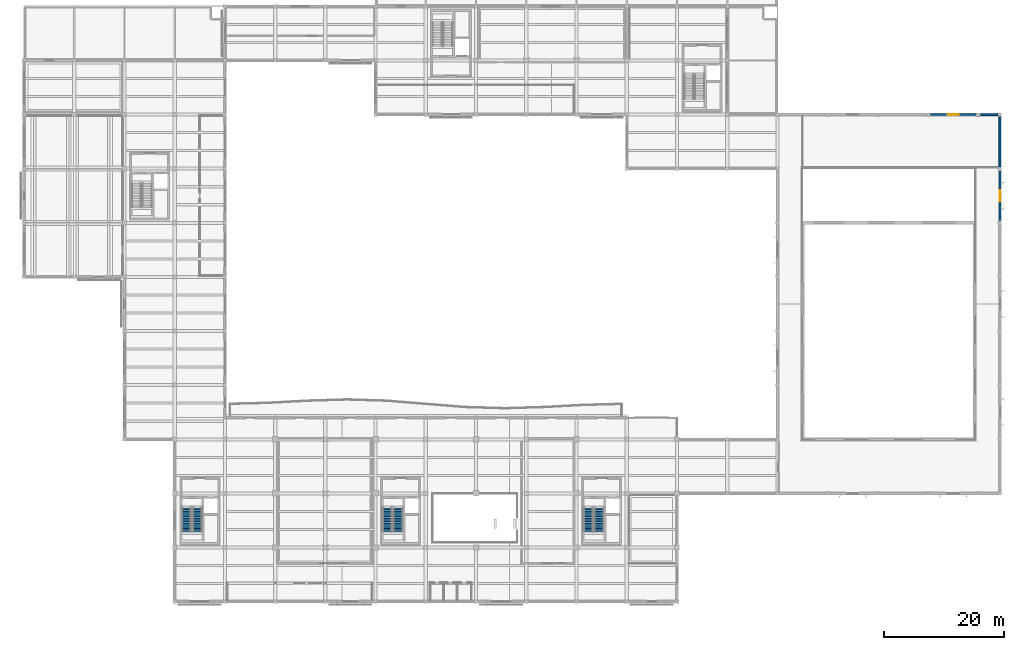
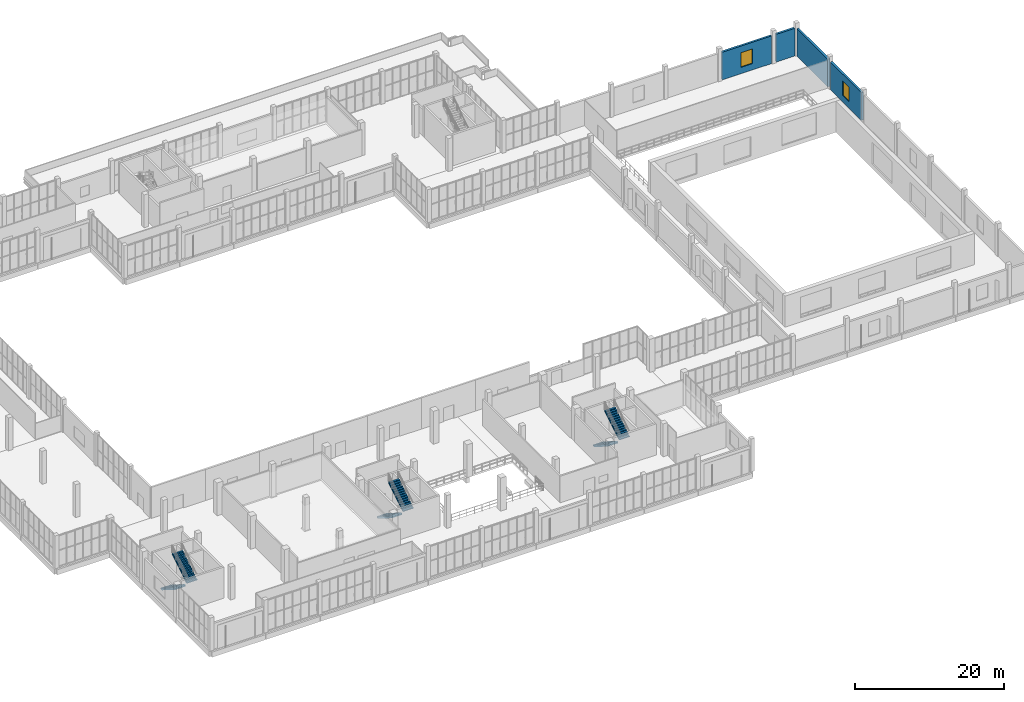
# One storey, part 118 of 132: 6 stair flights, 4 walls, 2 windows, 2 openings, 3 elements without a shape of their own.
"""IFC4 building model written with IfcOpenShell, lengths in metres."""

from ifc_helpers import new_model, si_unit, direction, frame, frame_2d, origin, place, context, subcontext, project, spatial, polyline, rectangle, outline, extrude, material, layer, layer_set, type_object, element, fill, aggregate, save


model = new_model("IFC4")

# Units and contexts
model_context = context("Model", 3, precision=1e-05, world=origin(), true_north=direction((0.0, 1.0)))
body_context = subcontext(model_context, "Body", "Model", "MODEL_VIEW")
ifc_project = project(units=[si_unit("LENGTHUNIT", "METRE"), si_unit("AREAUNIT", "SQUARE_METRE"), si_unit("VOLUMEUNIT", "CUBIC_METRE"), si_unit("PLANEANGLEUNIT", "RADIAN"), si_unit("MASSUNIT", "GRAM", prefix="KILO")], contexts=[model_context])

# Site, building, storey
site_placement = place(None, origin())
site = spatial("IfcSite", under=ifc_project, at=site_placement, CompositionType="ELEMENT")
building_placement = place(site_placement, origin())
building = spatial("IfcBuilding", under=site, at=building_placement, Name="Khurvash Pelagic Aquarium", CompositionType="ELEMENT")
storey_placement = place(building_placement, frame((0.0, 0.0, 5.39990234375)))
storey = spatial("IfcBuildingStorey", under=building, at=storey_placement, Name="L01", CompositionType="ELEMENT", Elevation=5.39990234375)

# Wall, opening, window
ifc_material_1 = material(Name="Precast concrete C40/50", Category="concrete")
ifc_layer = layer(ifc_material_1, 0.320068359375)
ifc_layer_set = layer_set([ifc_layer], Name="Precast concrete C40/50")
wall_type = type_object("IfcWallType", Name="EW-320", PredefinedType="STANDARD", material=ifc_layer_set)
wall_1_placement = place(storey_placement, frame((163.199951171875, 66.31005859375, 0.0), z_axis=(0.0, 0.0, 1.0), x_axis=(0.0, 1.0, 0.0)))
wall_1 = element("IfcWall", 1, at=wall_1_placement, inside=storey, type_object=wall_type, Name="L01 Ocean Tank Hall East Containment Wall EW-320 B6", PredefinedType="STANDARD", context=body_context, shape_type="SweptSolid", body=[
    extrude(rectangle(XDim=8.329833984375, YDim=0.320068359375, at=frame_2d((4.1650390625, 0.0))), origin(), (0.0, 0.0, 1.0), 4.550048828125),
])
opening_1_placement = place(wall_1_placement, frame((3.264892578125, 0.0, 1.050048828125)))
opening_1 = element("IfcOpeningElement", 2, at=opening_1_placement, cuts=wall_1, Name="Opening WN-01", PredefinedType="OPENING", context=body_context, shape_type="SweptSolid", body=[
    extrude(rectangle(XDim=1.800048828125, YDim=2.39990234375, at=frame_2d((0.89990234375, 1.199951171875))), frame((0.0, 0.169921875, 0.0), z_axis=(0.0, -1.0, 0.0), x_axis=(1.0, 0.0, 0.0)), (0.0, 0.0, 1.0), 0.340087890625),
])
ifc_material_2 = material(Name="Thermally broken aluminium and low-E glass", Category="aluminium")
window_type = type_object("IfcWindowType", Name="WN-01", PartitioningType="SINGLE_PANEL", PredefinedType="WINDOW", material=ifc_material_2)
window_1_placement = place(opening_1_placement, origin())
window_1 = element("IfcWindow", 3, at=window_1_placement, inside=storey, type_object=window_type, Name="L01 Ocean Hall Deep-Set Oceanic Portal Window WN-01", OverallHeight=2.39990234375, OverallWidth=1.800048828125, PartitioningType="SINGLE_PANEL", PredefinedType="WINDOW", context=body_context, shape_type="SweptSolid", body=[
    extrude(rectangle(XDim=1.800048828125, YDim=2.39990234375, at=frame_2d((0.89990234375, 1.199951171875))), frame((0.0, 0.030029296875, 0.0), z_axis=(0.0, -1.0, 0.0), x_axis=(1.0, 0.0, 0.0)), (0.0, 0.0, 1.0), 0.06005859375),
])
fill(opening_1, window_1)

# Wall
wall_2_placement = place(storey_placement, frame((163.199951171875, 75.360107421875, 0.0), z_axis=(0.0, 0.0, 1.0), x_axis=(0.0, 1.0, 0.0)))
element("IfcWall", 4, at=wall_2_placement, inside=storey, type_object=wall_type, Name="L01 Ocean Tank Hall East Containment Wall EW-320 B7", PredefinedType="STANDARD", context=body_context, shape_type="SweptSolid", body=[
    extrude(rectangle(XDim=8.329833984375, YDim=0.320068359375, at=frame_2d((4.1650390625, 0.0))), origin(), (0.0, 0.0, 1.0), 4.550048828125),
])

# Wall, opening, window
wall_3_placement = place(storey_placement, frame((159.239990234375, 84.050048828125, 0.0), z_axis=(0.0, 0.0, 1.0), x_axis=(-1.0, 0.0, 0.0)))
wall_3 = element("IfcWall", 5, at=wall_3_placement, inside=storey, type_object=wall_type, Name="L01 Ocean Tank Hall North Containment Wall EW-320 B4.1", PredefinedType="STANDARD", context=body_context, shape_type="SweptSolid", body=[
    extrude(rectangle(XDim=7.679931640625, YDim=0.320068359375, at=frame_2d((3.83984375, 0.0))), origin(), (0.0, 0.0, 1.0), 4.550048828125),
])
opening_2_placement = place(wall_3_placement, frame((2.93994140625, 0.0, 1.050048828125)))
opening_2 = element("IfcOpeningElement", 6, at=opening_2_placement, cuts=wall_3, Name="Opening WN-01", PredefinedType="OPENING", context=body_context, shape_type="SweptSolid", body=[
    extrude(rectangle(XDim=1.800048828125, YDim=2.39990234375, at=frame_2d((0.89990234375, 1.199951171875))), frame((0.0, 0.169921875, 0.0), z_axis=(0.0, -1.0, 0.0), x_axis=(1.0, 0.0, 0.0)), (0.0, 0.0, 1.0), 0.340087890625),
])
window_2_placement = place(opening_2_placement, origin())
window_2 = element("IfcWindow", 7, at=window_2_placement, inside=storey, type_object=window_type, Name="L01 Ocean Hall North Viewing Portal Window WN-01", OverallHeight=2.39990234375, OverallWidth=1.800048828125, PartitioningType="SINGLE_PANEL", PredefinedType="WINDOW", context=body_context, shape_type="SweptSolid", body=[
    extrude(rectangle(XDim=1.800048828125, YDim=2.39990234375, at=frame_2d((0.89990234375, 1.199951171875))), frame((0.0, 0.030029296875, 0.0), z_axis=(0.0, -1.0, 0.0), x_axis=(1.0, 0.0, 0.0)), (0.0, 0.0, 1.0), 0.06005859375),
])
fill(opening_2, window_2)

# Wall
wall_4_placement = place(storey_placement, frame((162.840087890625, 84.050048828125, 0.0), z_axis=(0.0, 0.0, 1.0), x_axis=(-1.0, 0.0, 0.0)))
element("IfcWall", 8, at=wall_4_placement, inside=storey, type_object=wall_type, Name="L01 Ocean Tank Hall North Containment Wall EW-320 B5.1", PredefinedType="STANDARD", context=body_context, shape_type="SweptSolid", body=[
    extrude(rectangle(XDim=2.880126953125, YDim=0.320068359375, at=frame_2d((1.43994140625, 0.0))), origin(), (0.0, 0.0, 1.0), 4.550048828125),
])

# Stair, stair flights
ifc_material_3 = material(Name="Concrete C35/45", Category="concrete")
stair_type_1 = type_object("IfcStairType", Name="ST-01", PredefinedType="HALF_TURN_STAIR", material=ifc_material_3)
stair_1_placement = place(storey_placement, origin())
stair_1 = element("IfcStair", 9, at=stair_1_placement, inside=storey, type_object=stair_type_1, Name="L01 Protected Exit Stair ST-01", PredefinedType="HALF_TURN_STAIR")
stair_flight_type = type_object("IfcStairFlightType", Name="SF-150", PredefinedType="STRAIGHT", material=ifc_material_3)
stair_flight_1_placement = place(storey_placement, frame((27.199951171875, 18.25, 0.0), z_axis=(0.0, 0.0, 1.0), x_axis=(0.0, -1.0, 0.0)))
stair_flight_1 = element("IfcStairFlight", 10, at=stair_flight_1_placement, type_object=stair_flight_type, Name="ST-01 flight 1", NumberOfRisers=15, NumberOfTreads=14, PredefinedType="STRAIGHT", RiserHeight=0.18, TreadLength=0.285, context=body_context, shape_type="SweptSolid", body=[
    extrude(outline(polyline([(0.0, 0.0), (0.0, 0.179931640625), (0.284912109375, 0.179931640625), (0.284912109375, 0.360107421875), (0.570068359375, 0.360107421875), (0.570068359375, 0.5400390625), (0.85498046875, 0.5400390625), (0.85498046875, 0.719970703125), (1.139892578125, 0.719970703125), (1.139892578125, 0.89990234375), (1.425048828125, 0.89990234375), (1.425048828125, 1.080078125), (1.7099609375, 1.080078125), (1.7099609375, 1.260009765625), (1.9951171875, 1.260009765625), (1.9951171875, 1.43994140625), (2.280029296875, 1.43994140625), (2.280029296875, 1.6201171875), (2.56494140625, 1.6201171875), (2.56494140625, 1.800048828125), (2.85009765625, 1.800048828125), (2.85009765625, 1.97998046875), (3.135009765625, 1.97998046875), (3.135009765625, 2.159912109375), (3.419921875, 2.159912109375), (3.419921875, 2.340087890625), (3.705078125, 2.340087890625), (3.705078125, 2.52001953125), (3.989990234375, 2.52001953125), (3.989990234375, 2.699951171875), (3.989990234375, 2.30712890625), (0.3369140625, 0.0), (0.0, 0.0)])), frame((0.0, 0.800048828125, 0.0), z_axis=(0.0, -1.0, 0.0), x_axis=(1.0, 0.0, 0.0)), (0.0, 0.0, 1.0), 1.60009765625),
])
stair_flight_2_placement = place(storey_placement, frame((29.0, 14.260009765625, 2.7001953125), z_axis=(0.0, 0.0, 1.0), x_axis=(0.0, 1.0, 0.0)))
stair_flight_2 = element("IfcStairFlight", 11, at=stair_flight_2_placement, type_object=stair_flight_type, Name="ST-01 flight 2", NumberOfRisers=15, NumberOfTreads=14, PredefinedType="STRAIGHT", RiserHeight=0.18, TreadLength=0.285, context=body_context, shape_type="SweptSolid", body=[
    extrude(outline(polyline([(0.0, 0.0), (0.0, 0.179931640625), (0.284912109375, 0.179931640625), (0.284912109375, 0.360107421875), (0.570068359375, 0.360107421875), (0.570068359375, 0.5400390625), (0.85498046875, 0.5400390625), (0.85498046875, 0.719970703125), (1.139892578125, 0.719970703125), (1.139892578125, 0.89990234375), (1.425048828125, 0.89990234375), (1.425048828125, 1.080078125), (1.7099609375, 1.080078125), (1.7099609375, 1.260009765625), (1.9951171875, 1.260009765625), (1.9951171875, 1.43994140625), (2.280029296875, 1.43994140625), (2.280029296875, 1.6201171875), (2.56494140625, 1.6201171875), (2.56494140625, 1.800048828125), (2.85009765625, 1.800048828125), (2.85009765625, 1.97998046875), (3.135009765625, 1.97998046875), (3.135009765625, 2.159912109375), (3.419921875, 2.159912109375), (3.419921875, 2.340087890625), (3.705078125, 2.340087890625), (3.705078125, 2.52001953125), (3.989990234375, 2.52001953125), (3.989990234375, 2.699951171875), (3.989990234375, 2.30712890625), (0.3369140625, 0.0), (0.0, 0.0)])), frame((0.0, 0.800048828125, 0.0), z_axis=(0.0, -1.0, 0.0), x_axis=(1.0, 0.0, 0.0)), (0.0, 0.0, 1.0), 1.60009765625),
])
aggregate(stair_1, [stair_flight_1, stair_flight_2])

stair_type_2 = type_object("IfcStairType", Name="ST-02", PredefinedType="HALF_TURN_STAIR", material=ifc_material_3)
stair_2_placement = place(storey_placement, origin())
stair_2 = element("IfcStair", 12, at=stair_2_placement, inside=storey, type_object=stair_type_2, Name="L01 Protected Exit Stair ST-02", PredefinedType="HALF_TURN_STAIR")
stair_flight_3_placement = place(storey_placement, frame((60.800048828125, 18.25, 0.0), z_axis=(0.0, 0.0, 1.0), x_axis=(0.0, -1.0, 0.0)))
stair_flight_3 = element("IfcStairFlight", 13, at=stair_flight_3_placement, type_object=stair_flight_type, Name="ST-02 flight 1", NumberOfRisers=15, NumberOfTreads=14, PredefinedType="STRAIGHT", RiserHeight=0.18, TreadLength=0.285, context=body_context, shape_type="SweptSolid", body=[
    extrude(outline(polyline([(0.0, 0.0), (0.0, 0.179931640625), (0.284912109375, 0.179931640625), (0.284912109375, 0.360107421875), (0.570068359375, 0.360107421875), (0.570068359375, 0.5400390625), (0.85498046875, 0.5400390625), (0.85498046875, 0.719970703125), (1.139892578125, 0.719970703125), (1.139892578125, 0.89990234375), (1.425048828125, 0.89990234375), (1.425048828125, 1.080078125), (1.7099609375, 1.080078125), (1.7099609375, 1.260009765625), (1.9951171875, 1.260009765625), (1.9951171875, 1.43994140625), (2.280029296875, 1.43994140625), (2.280029296875, 1.6201171875), (2.56494140625, 1.6201171875), (2.56494140625, 1.800048828125), (2.85009765625, 1.800048828125), (2.85009765625, 1.97998046875), (3.135009765625, 1.97998046875), (3.135009765625, 2.159912109375), (3.419921875, 2.159912109375), (3.419921875, 2.340087890625), (3.705078125, 2.340087890625), (3.705078125, 2.52001953125), (3.989990234375, 2.52001953125), (3.989990234375, 2.699951171875), (3.989990234375, 2.30712890625), (0.3369140625, 0.0), (0.0, 0.0)])), frame((0.0, 0.800048828125, 0.0), z_axis=(0.0, -1.0, 0.0), x_axis=(1.0, 0.0, 0.0)), (0.0, 0.0, 1.0), 1.60009765625),
])
stair_flight_4_placement = place(storey_placement, frame((62.60009765625, 14.260009765625, 2.7001953125), z_axis=(0.0, 0.0, 1.0), x_axis=(0.0, 1.0, 0.0)))
stair_flight_4 = element("IfcStairFlight", 14, at=stair_flight_4_placement, type_object=stair_flight_type, Name="ST-02 flight 2", NumberOfRisers=15, NumberOfTreads=14, PredefinedType="STRAIGHT", RiserHeight=0.18, TreadLength=0.285, context=body_context, shape_type="SweptSolid", body=[
    extrude(outline(polyline([(0.0, 0.0), (0.0, 0.179931640625), (0.284912109375, 0.179931640625), (0.284912109375, 0.360107421875), (0.570068359375, 0.360107421875), (0.570068359375, 0.5400390625), (0.85498046875, 0.5400390625), (0.85498046875, 0.719970703125), (1.139892578125, 0.719970703125), (1.139892578125, 0.89990234375), (1.425048828125, 0.89990234375), (1.425048828125, 1.080078125), (1.7099609375, 1.080078125), (1.7099609375, 1.260009765625), (1.9951171875, 1.260009765625), (1.9951171875, 1.43994140625), (2.280029296875, 1.43994140625), (2.280029296875, 1.6201171875), (2.56494140625, 1.6201171875), (2.56494140625, 1.800048828125), (2.85009765625, 1.800048828125), (2.85009765625, 1.97998046875), (3.135009765625, 1.97998046875), (3.135009765625, 2.159912109375), (3.419921875, 2.159912109375), (3.419921875, 2.340087890625), (3.705078125, 2.340087890625), (3.705078125, 2.52001953125), (3.989990234375, 2.52001953125), (3.989990234375, 2.699951171875), (3.989990234375, 2.30712890625), (0.3369140625, 0.0), (0.0, 0.0)])), frame((0.0, 0.800048828125, 0.0), z_axis=(0.0, -1.0, 0.0), x_axis=(1.0, 0.0, 0.0)), (0.0, 0.0, 1.0), 1.60009765625),
])
aggregate(stair_2, [stair_flight_3, stair_flight_4])

stair_type_3 = type_object("IfcStairType", Name="ST-03", PredefinedType="HALF_TURN_STAIR", material=ifc_material_3)
stair_3_placement = place(storey_placement, origin())
stair_3 = element("IfcStair", 15, at=stair_3_placement, inside=storey, type_object=stair_type_3, Name="L01 Protected Exit Stair ST-03", PredefinedType="HALF_TURN_STAIR")
stair_flight_5_placement = place(storey_placement, frame((94.39990234375, 18.25, 0.0), z_axis=(0.0, 0.0, 1.0), x_axis=(0.0, -1.0, 0.0)))
stair_flight_5 = element("IfcStairFlight", 16, at=stair_flight_5_placement, type_object=stair_flight_type, Name="ST-03 flight 1", NumberOfRisers=15, NumberOfTreads=14, PredefinedType="STRAIGHT", RiserHeight=0.18, TreadLength=0.285, context=body_context, shape_type="SweptSolid", body=[
    extrude(outline(polyline([(0.0, 0.0), (0.0, 0.179931640625), (0.284912109375, 0.179931640625), (0.284912109375, 0.360107421875), (0.570068359375, 0.360107421875), (0.570068359375, 0.5400390625), (0.85498046875, 0.5400390625), (0.85498046875, 0.719970703125), (1.139892578125, 0.719970703125), (1.139892578125, 0.89990234375), (1.425048828125, 0.89990234375), (1.425048828125, 1.080078125), (1.7099609375, 1.080078125), (1.7099609375, 1.260009765625), (1.9951171875, 1.260009765625), (1.9951171875, 1.43994140625), (2.280029296875, 1.43994140625), (2.280029296875, 1.6201171875), (2.56494140625, 1.6201171875), (2.56494140625, 1.800048828125), (2.85009765625, 1.800048828125), (2.85009765625, 1.97998046875), (3.135009765625, 1.97998046875), (3.135009765625, 2.159912109375), (3.419921875, 2.159912109375), (3.419921875, 2.340087890625), (3.705078125, 2.340087890625), (3.705078125, 2.52001953125), (3.989990234375, 2.52001953125), (3.989990234375, 2.699951171875), (3.989990234375, 2.30712890625), (0.3369140625, 0.0), (0.0, 0.0)])), frame((0.0, 0.800048828125, 0.0), z_axis=(0.0, -1.0, 0.0), x_axis=(1.0, 0.0, 0.0)), (0.0, 0.0, 1.0), 1.60009765625),
])
stair_flight_6_placement = place(storey_placement, frame((96.199951171875, 14.260009765625, 2.7001953125), z_axis=(0.0, 0.0, 1.0), x_axis=(0.0, 1.0, 0.0)))
stair_flight_6 = element("IfcStairFlight", 17, at=stair_flight_6_placement, type_object=stair_flight_type, Name="ST-03 flight 2", NumberOfRisers=15, NumberOfTreads=14, PredefinedType="STRAIGHT", RiserHeight=0.18, TreadLength=0.285, context=body_context, shape_type="SweptSolid", body=[
    extrude(outline(polyline([(0.0, 0.0), (0.0, 0.179931640625), (0.284912109375, 0.179931640625), (0.284912109375, 0.360107421875), (0.570068359375, 0.360107421875), (0.570068359375, 0.5400390625), (0.85498046875, 0.5400390625), (0.85498046875, 0.719970703125), (1.139892578125, 0.719970703125), (1.139892578125, 0.89990234375), (1.425048828125, 0.89990234375), (1.425048828125, 1.080078125), (1.7099609375, 1.080078125), (1.7099609375, 1.260009765625), (1.9951171875, 1.260009765625), (1.9951171875, 1.43994140625), (2.280029296875, 1.43994140625), (2.280029296875, 1.6201171875), (2.56494140625, 1.6201171875), (2.56494140625, 1.800048828125), (2.85009765625, 1.800048828125), (2.85009765625, 1.97998046875), (3.135009765625, 1.97998046875), (3.135009765625, 2.159912109375), (3.419921875, 2.159912109375), (3.419921875, 2.340087890625), (3.705078125, 2.340087890625), (3.705078125, 2.52001953125), (3.989990234375, 2.52001953125), (3.989990234375, 2.699951171875), (3.989990234375, 2.30712890625), (0.3369140625, 0.0), (0.0, 0.0)])), frame((0.0, 0.800048828125, 0.0), z_axis=(0.0, -1.0, 0.0), x_axis=(1.0, 0.0, 0.0)), (0.0, 0.0, 1.0), 1.60009765625),
])
aggregate(stair_3, [stair_flight_5, stair_flight_6])

save(model, "model.ifc")
